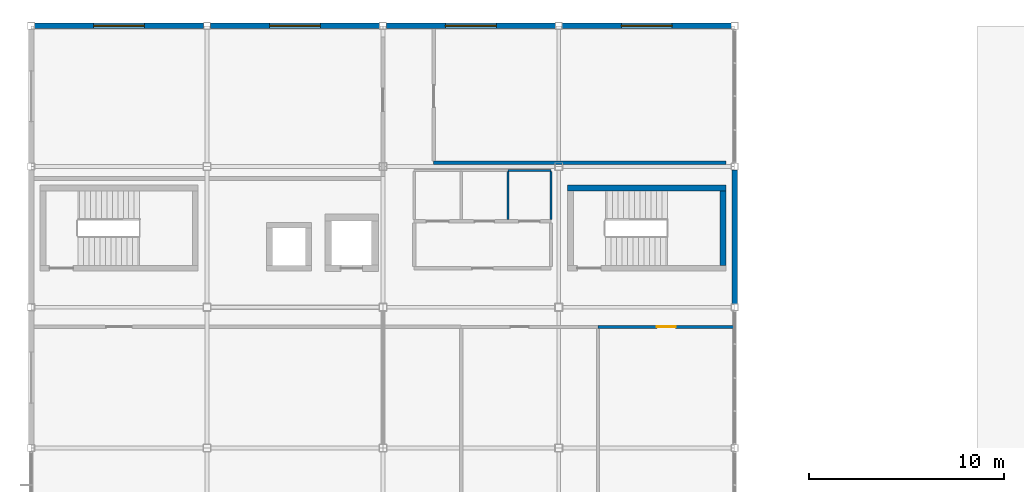
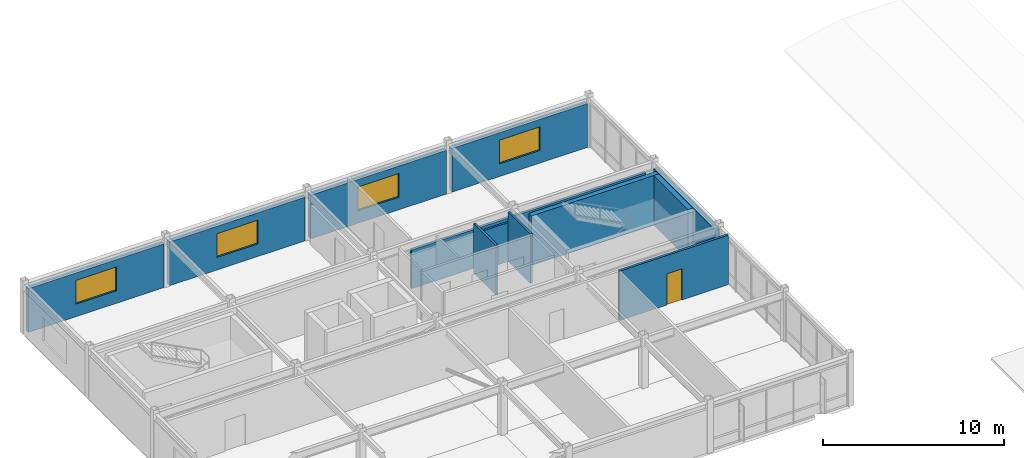
# One storey, part 27 of 34: 12 walls, 4 windows, 1 door, 5 openings.
"""IFC4 building model written with IfcOpenShell, lengths in metres."""

from ifc_helpers import new_model, si_unit, direction, frame, frame_2d, origin, place, context, subcontext, project, spatial, rectangle, extrude, material, layer, layer_set, type_object, element, fill, save


model = new_model("IFC4")

# Units and contexts
model_context = context("Model", 3, precision=1e-05, world=origin(), true_north=direction((0.0, 1.0)))
body_context = subcontext(model_context, "Body", "Model", "MODEL_VIEW")
ifc_project = project(units=[si_unit("LENGTHUNIT", "METRE"), si_unit("AREAUNIT", "SQUARE_METRE"), si_unit("VOLUMEUNIT", "CUBIC_METRE"), si_unit("PLANEANGLEUNIT", "RADIAN"), si_unit("MASSUNIT", "GRAM", prefix="KILO")], contexts=[model_context])

# Site, building, storey
site_placement = place(None, origin())
site = spatial("IfcSite", under=ifc_project, at=site_placement, CompositionType="ELEMENT")
building_placement = place(site_placement, origin())
building = spatial("IfcBuilding", under=site, at=building_placement, Name="Kazanami Central Library", CompositionType="ELEMENT")
storey_placement = place(building_placement, frame((0.0, 0.0, 17.0)))
storey = spatial("IfcBuildingStorey", under=building, at=storey_placement, Name="L05", CompositionType="ELEMENT", Elevation=17.0)

# Wall, opening, window
ifc_material_1 = material(Name="Concrete Fc36 (36 MPa)", Category="concrete")
ifc_layer_1 = layer(ifc_material_1, 0.199951171875, Name="Concrete Fc36 (36 MPa)")
ifc_material_2 = material(Name="Extruded Polystyrene XPS", Category="earth")
ifc_layer_2 = layer(ifc_material_2, 0.050048828125, Name="Extruded Polystyrene XPS")
ifc_material_3 = material(Name="Honed Inada Granite", Category="masonry")
ifc_layer_3 = layer(ifc_material_3, 0.030029296875, Name="Honed Inada Granite")
ifc_layer_set_1 = layer_set([ifc_layer_1, ifc_layer_2, ifc_layer_3], Name="Concrete Fc36 (36 MPa)")
wall_type_1 = type_object("IfcWallType", Name="WAL-EW-280", PredefinedType="STANDARD", material=ifc_layer_set_1)
wall_1_placement = place(storey_placement, frame((8.824951171875, 93.60009765625, 0.0), z_axis=(0.0, 0.0, 1.0), x_axis=(-1.0, 0.0, 0.0)))
wall_1 = element("IfcWall", 1, at=wall_1_placement, inside=storey, type_object=wall_type_1, Name="Exterior Facade Wall EW-280 L05 N-O-00", PredefinedType="STANDARD", context=body_context, shape_type="SweptSolid", body=[
    extrude(rectangle(XDim=8.64990234375, YDim=0.280029296875, at=frame_2d((4.324951171875, 0.0))), origin(), (0.0, 0.0, 1.0), 2.949951171875),
])
opening_1_placement = place(wall_1_placement, frame((3.02490234375, 0.0, 0.85009765625)))
opening_1 = element("IfcOpeningElement", 2, at=opening_1_placement, cuts=wall_1, Name="Opening WN-13", PredefinedType="OPENING", context=body_context, shape_type="SweptSolid", body=[
    extrude(rectangle(XDim=2.60009765625, YDim=1.60009765625, at=frame_2d((1.300048828125, 0.800048828125))), frame((0.0, 0.15185546875, 0.0), z_axis=(0.0, -1.0, 0.0), x_axis=(1.0, 0.0, 0.0)), (0.0, 0.0, 1.0), 0.303955078125),
])
ifc_material_4 = material(Name="Low-E Insulated Triple Glass", Category="glass")
window_type = type_object("IfcWindowType", Name="WIN-WN-13", PartitioningType="DOUBLE_PANEL_VERTICAL", PredefinedType="WINDOW", material=ifc_material_4)
window_1_placement = place(opening_1_placement, origin())
window_1 = element("IfcWindow", 3, at=window_1_placement, inside=storey, type_object=window_type, Name="Facade Window WN-13 L05 N-O-00", OverallHeight=1.60009765625, OverallWidth=2.60009765625, PartitioningType="DOUBLE_PANEL_VERTICAL", PredefinedType="WINDOW", context=body_context, shape_type="SweptSolid", body=[
    extrude(rectangle(XDim=2.60009765625, YDim=1.60009765625, at=frame_2d((1.300048828125, 0.800048828125))), frame((0.0, 0.030029296875, 0.0), z_axis=(0.0, -1.0, 0.0), x_axis=(1.0, 0.0, 0.0)), (0.0, 0.0, 1.0), 0.06005859375),
])
fill(opening_1, window_1)

wall_2_placement = place(storey_placement, frame((17.824951171875, 93.60009765625, 0.0), z_axis=(0.0, 0.0, 1.0), x_axis=(-1.0, 0.0, 0.0)))
wall_2 = element("IfcWall", 4, at=wall_2_placement, inside=storey, type_object=wall_type_1, Name="Exterior Facade Wall EW-280 L05 N-O-01", PredefinedType="STANDARD", context=body_context, shape_type="SweptSolid", body=[
    extrude(rectangle(XDim=8.64990234375, YDim=0.280029296875, at=frame_2d((4.324951171875, 0.0))), origin(), (0.0, 0.0, 1.0), 2.949951171875),
])
opening_2_placement = place(wall_2_placement, frame((3.02490234375, 0.0, 0.85009765625)))
opening_2 = element("IfcOpeningElement", 5, at=opening_2_placement, cuts=wall_2, Name="Opening WN-13", PredefinedType="OPENING", context=body_context, shape_type="SweptSolid", body=[
    extrude(rectangle(XDim=2.60009765625, YDim=1.60009765625, at=frame_2d((1.300048828125, 0.800048828125))), frame((0.0, 0.15185546875, 0.0), z_axis=(0.0, -1.0, 0.0), x_axis=(1.0, 0.0, 0.0)), (0.0, 0.0, 1.0), 0.303955078125),
])
window_2_placement = place(opening_2_placement, origin())
window_2 = element("IfcWindow", 6, at=window_2_placement, inside=storey, type_object=window_type, Name="Facade Window WN-13 L05 N-O-01", OverallHeight=1.60009765625, OverallWidth=2.60009765625, PartitioningType="DOUBLE_PANEL_VERTICAL", PredefinedType="WINDOW", context=body_context, shape_type="SweptSolid", body=[
    extrude(rectangle(XDim=2.60009765625, YDim=1.60009765625, at=frame_2d((1.300048828125, 0.800048828125))), frame((0.0, 0.030029296875, 0.0), z_axis=(0.0, -1.0, 0.0), x_axis=(1.0, 0.0, 0.0)), (0.0, 0.0, 1.0), 0.06005859375),
])
fill(opening_2, window_2)

wall_3_placement = place(storey_placement, frame((26.824951171875, 93.60009765625, 0.0), z_axis=(0.0, 0.0, 1.0), x_axis=(-1.0, 0.0, 0.0)))
wall_3 = element("IfcWall", 7, at=wall_3_placement, inside=storey, type_object=wall_type_1, Name="Exterior Facade Wall EW-280 L05 N-O-02", PredefinedType="STANDARD", context=body_context, shape_type="SweptSolid", body=[
    extrude(rectangle(XDim=8.64990234375, YDim=0.280029296875, at=frame_2d((4.324951171875, 0.0))), origin(), (0.0, 0.0, 1.0), 2.949951171875),
])
opening_3_placement = place(wall_3_placement, frame((3.02490234375, 0.0, 0.85009765625)))
opening_3 = element("IfcOpeningElement", 8, at=opening_3_placement, cuts=wall_3, Name="Opening WN-13", PredefinedType="OPENING", context=body_context, shape_type="SweptSolid", body=[
    extrude(rectangle(XDim=2.60009765625, YDim=1.60009765625, at=frame_2d((1.300048828125, 0.800048828125))), frame((0.0, 0.15185546875, 0.0), z_axis=(0.0, -1.0, 0.0), x_axis=(1.0, 0.0, 0.0)), (0.0, 0.0, 1.0), 0.303955078125),
])
window_3_placement = place(opening_3_placement, origin())
window_3 = element("IfcWindow", 9, at=window_3_placement, inside=storey, type_object=window_type, Name="Facade Window WN-13 L05 N-O-02", OverallHeight=1.60009765625, OverallWidth=2.60009765625, PartitioningType="DOUBLE_PANEL_VERTICAL", PredefinedType="WINDOW", context=body_context, shape_type="SweptSolid", body=[
    extrude(rectangle(XDim=2.60009765625, YDim=1.60009765625, at=frame_2d((1.300048828125, 0.800048828125))), frame((0.0, 0.030029296875, 0.0), z_axis=(0.0, -1.0, 0.0), x_axis=(1.0, 0.0, 0.0)), (0.0, 0.0, 1.0), 0.06005859375),
])
fill(opening_3, window_3)

wall_4_placement = place(storey_placement, frame((35.824951171875, 93.60009765625, 0.0), z_axis=(0.0, 0.0, 1.0), x_axis=(-1.0, 0.0, 0.0)))
wall_4 = element("IfcWall", 10, at=wall_4_placement, inside=storey, type_object=wall_type_1, Name="Exterior Facade Wall EW-280 L05 N-O-03", PredefinedType="STANDARD", context=body_context, shape_type="SweptSolid", body=[
    extrude(rectangle(XDim=8.64990234375, YDim=0.280029296875, at=frame_2d((4.324951171875, 0.0))), origin(), (0.0, 0.0, 1.0), 2.949951171875),
])
opening_4_placement = place(wall_4_placement, frame((3.02490234375, 0.0, 0.85009765625)))
opening_4 = element("IfcOpeningElement", 11, at=opening_4_placement, cuts=wall_4, Name="Opening WN-13", PredefinedType="OPENING", context=body_context, shape_type="SweptSolid", body=[
    extrude(rectangle(XDim=2.60009765625, YDim=1.60009765625, at=frame_2d((1.300048828125, 0.800048828125))), frame((0.0, 0.15185546875, 0.0), z_axis=(0.0, -1.0, 0.0), x_axis=(1.0, 0.0, 0.0)), (0.0, 0.0, 1.0), 0.303955078125),
])
window_4_placement = place(opening_4_placement, origin())
window_4 = element("IfcWindow", 12, at=window_4_placement, inside=storey, type_object=window_type, Name="Facade Window WN-13 L05 N-O-03", OverallHeight=1.60009765625, OverallWidth=2.60009765625, PartitioningType="DOUBLE_PANEL_VERTICAL", PredefinedType="WINDOW", context=body_context, shape_type="SweptSolid", body=[
    extrude(rectangle(XDim=2.60009765625, YDim=1.60009765625, at=frame_2d((1.300048828125, 0.800048828125))), frame((0.0, 0.030029296875, 0.0), z_axis=(0.0, -1.0, 0.0), x_axis=(1.0, 0.0, 0.0)), (0.0, 0.0, 1.0), 0.06005859375),
])
fill(opening_4, window_4)

# Walls
wall_5_placement = place(storey_placement, frame((36.0, 86.22509765625, 0.0), z_axis=(0.0, 0.0, 1.0), x_axis=(0.0, -1.0, 0.0)))
element("IfcWall", 13, at=wall_5_placement, inside=storey, type_object=wall_type_1, Name="Exterior Facade Wall EW-280 L05 E-5-11", PredefinedType="STANDARD", context=body_context, shape_type="SweptSolid", body=[
    extrude(rectangle(XDim=6.85009765625, YDim=0.280029296875, at=frame_2d((3.425048828125, 0.0))), origin(), (0.0, 0.0, 1.0), 2.93994140625),
])
ifc_material_5 = material(Name="Fire-Resistant Gypsum Board GB-F", Category="gypsum")
ifc_layer_4 = layer(ifc_material_5, 0.1650390625, Name="Fire-Resistant Gypsum Board GB-F")
ifc_layer_set_2 = layer_set([ifc_layer_4], Name="Fire-Resistant Gypsum Board GB-F")
wall_type_2 = type_object("IfcWallType", Name="WAL-FW-165", PredefinedType="PARTITIONING", material=ifc_layer_set_2)
wall_6_placement = place(storey_placement, frame((20.60009765625, 86.60009765625, 0.0), z_axis=(0.0, 0.0, 1.0), x_axis=(1.0, 0.0, 0.0)))
element("IfcWall", 14, at=wall_6_placement, inside=storey, type_object=wall_type_2, Name="Interior Partition FW-165 L05 RM-07 (South)", PredefinedType="PARTITIONING", context=body_context, shape_type="SweptSolid", body=[
    extrude(rectangle(XDim=14.94482421875, YDim=0.1650390625, at=frame_2d((7.472412109375, 0.0))), origin(), (0.0, 0.0, 1.0), 2.6201171875),
])
ifc_material_6 = material(Name="Gypsum Plasterboard GB-R", Category="gypsum")
ifc_layer_5 = layer(ifc_material_6, 0.125, Name="Gypsum Plasterboard GB-R")
ifc_layer_set_3 = layer_set([ifc_layer_5], Name="Gypsum Plasterboard GB-R")
wall_type_3 = type_object("IfcWallType", Name="WAL-PW-125", PredefinedType="PARTITIONING", material=ifc_layer_set_3)
wall_7_placement = place(storey_placement, frame((24.39990234375, 83.68994140625, 0.0), z_axis=(0.0, 0.0, 1.0), x_axis=(0.0, 1.0, 0.0)))
element("IfcWall", 15, at=wall_7_placement, inside=storey, type_object=wall_type_3, Name="Interior Partition PW-125 L05 WC-V4-F (East)", PredefinedType="PARTITIONING", context=body_context, shape_type="SweptSolid", body=[
    extrude(rectangle(XDim=2.447509765625, YDim=0.125, at=frame_2d((1.2236328125, 0.0))), origin(), (0.0, 0.0, 1.0), 3.340087890625),
])
wall_8_placement = place(storey_placement, frame((24.39990234375, 86.199951171875, 0.0), z_axis=(0.0, 0.0, 1.0), x_axis=(1.0, 0.0, 0.0)))
element("IfcWall", 16, at=wall_8_placement, inside=storey, type_object=wall_type_3, Name="Interior Partition PW-125 L05 WC-V4-ACC (North)", PredefinedType="PARTITIONING", context=body_context, shape_type="SweptSolid", body=[
    extrude(rectangle(XDim=2.2001953125, YDim=0.125, at=frame_2d((1.10009765625, 0.0))), origin(), (0.0, 0.0, 1.0), 2.6201171875),
])
wall_9_placement = place(storey_placement, frame((26.60009765625, 83.68994140625, 0.0), z_axis=(0.0, 0.0, 1.0), x_axis=(0.0, 1.0, 0.0)))
element("IfcWall", 17, at=wall_9_placement, inside=storey, type_object=wall_type_3, Name="Interior Partition PW-125 L05 WC-V4-ACC (East)", PredefinedType="PARTITIONING", context=body_context, shape_type="SweptSolid", body=[
    extrude(rectangle(XDim=2.447509765625, YDim=0.125, at=frame_2d((1.2236328125, 0.0))), origin(), (0.0, 0.0, 1.0), 3.340087890625),
])

# Wall, opening, door
ifc_layer_6 = layer(ifc_material_6, 0.14990234375, Name="Gypsum Plasterboard GB-R")
ifc_layer_set_4 = layer_set([ifc_layer_6], Name="Gypsum Plasterboard GB-R")
wall_type_4 = type_object("IfcWallType", Name="WAL-PW-150", PredefinedType="PARTITIONING", material=ifc_layer_set_4)
wall_10_placement = place(storey_placement, frame((29.0, 78.199951171875, 0.0), z_axis=(0.0, 0.0, 1.0), x_axis=(1.0, 0.0, 0.0)))
wall_10 = element("IfcWall", 18, at=wall_10_placement, inside=storey, type_object=wall_type_4, Name="Interior Partition PW-150 L05 RM-05 (North)", PredefinedType="PARTITIONING", context=body_context, shape_type="SweptSolid", body=[
    extrude(rectangle(XDim=6.965087890625, YDim=0.14990234375, at=frame_2d((3.482421875, 0.0))), origin(), (0.0, 0.0, 1.0), 3.340087890625),
])
opening_5_placement = place(wall_10_placement, frame((3.02001953125, 0.0, 0.0)))
opening_5 = element("IfcOpeningElement", 19, at=opening_5_placement, cuts=wall_10, Name="Opening ID-04", PredefinedType="OPENING", context=body_context, shape_type="SweptSolid", body=[
    extrude(rectangle(XDim=0.9599609375, YDim=2.10009765625, at=frame_2d((0.47998046875, 1.050048828125))), frame((0.0, 0.0869140625, 0.0), z_axis=(0.0, -1.0, 0.0), x_axis=(1.0, 0.0, 0.0)), (0.0, 0.0, 1.0), 0.173828125),
])
ifc_material_7 = material(Name="White Oak Hardwood", Category="wood")
door_type = type_object("IfcDoorType", Name="DOR-ID-04", OperationType="NOTDEFINED", PredefinedType="DOOR", material=ifc_material_7)
door_placement = place(opening_5_placement, origin())
door = element("IfcDoor", 20, at=door_placement, inside=storey, type_object=door_type, Name="Interior Door ID-04 L05 RM-05", OperationType="SINGLE_SWING_LEFT", OverallHeight=2.10009765625, OverallWidth=0.9599609375, PredefinedType="DOOR", context=body_context, shape_type="SweptSolid", body=[
    extrude(rectangle(XDim=0.9599609375, YDim=2.10009765625, at=frame_2d((0.47998046875, 1.050048828125))), frame((0.0, 0.02490234375, 0.0), z_axis=(0.0, -1.0, 0.0), x_axis=(1.0, 0.0, 0.0)), (0.0, 0.0, 1.0), 0.050048828125),
])
fill(opening_5, door)

# Walls
ifc_layer_7 = layer(ifc_material_1, 0.300048828125, Name="Concrete Fc36 (36 MPa)")
ifc_layer_set_5 = layer_set([ifc_layer_7], Name="Concrete Fc36 (36 MPa)")
wall_type_5 = type_object("IfcWallType", Name="WAL-SW-300", PredefinedType="SHEAR", material=ifc_layer_set_5)
wall_11_placement = place(storey_placement, frame((27.449951171875, 85.300048828125, 0.0), z_axis=(0.0, 0.0, 1.0), x_axis=(1.0, 0.0, 0.0)))
element("IfcWall", 21, at=wall_11_placement, inside=storey, type_object=wall_type_5, Name="Stair Core Wall ST-06 North L05", PredefinedType="SHEAR", context=body_context, shape_type="SweptSolid", body=[
    extrude(rectangle(XDim=8.10009765625, YDim=0.300048828125, at=frame_2d((4.050048828125, 0.0))), origin(), (0.0, 0.0, 1.0), 3.340087890625),
])
wall_12_placement = place(storey_placement, frame((35.39990234375, 81.35009765625, 0.0), z_axis=(0.0, 0.0, 1.0), x_axis=(0.0, 1.0, 0.0)))
element("IfcWall", 22, at=wall_12_placement, inside=storey, type_object=wall_type_5, Name="Stair Core Wall ST-06 East L05", PredefinedType="SHEAR", context=body_context, shape_type="SweptSolid", body=[
    extrude(rectangle(XDim=3.7998046875, YDim=0.300048828125, at=frame_2d((1.89990234375, 0.0))), origin(), (0.0, 0.0, 1.0), 3.340087890625),
])

save(model, "model.ifc")
